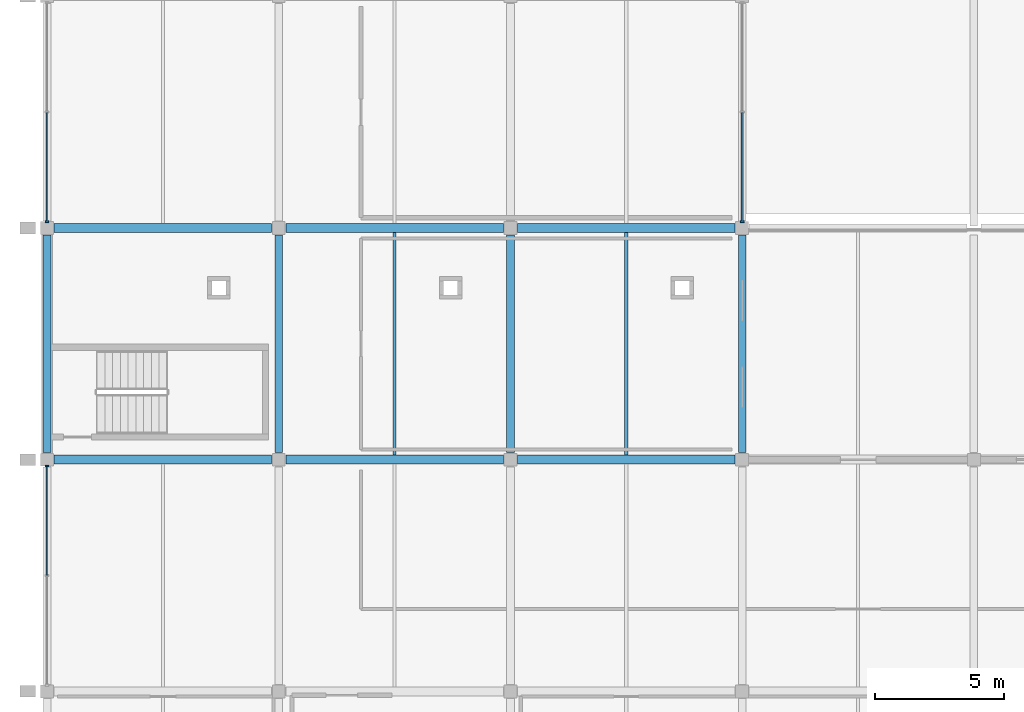
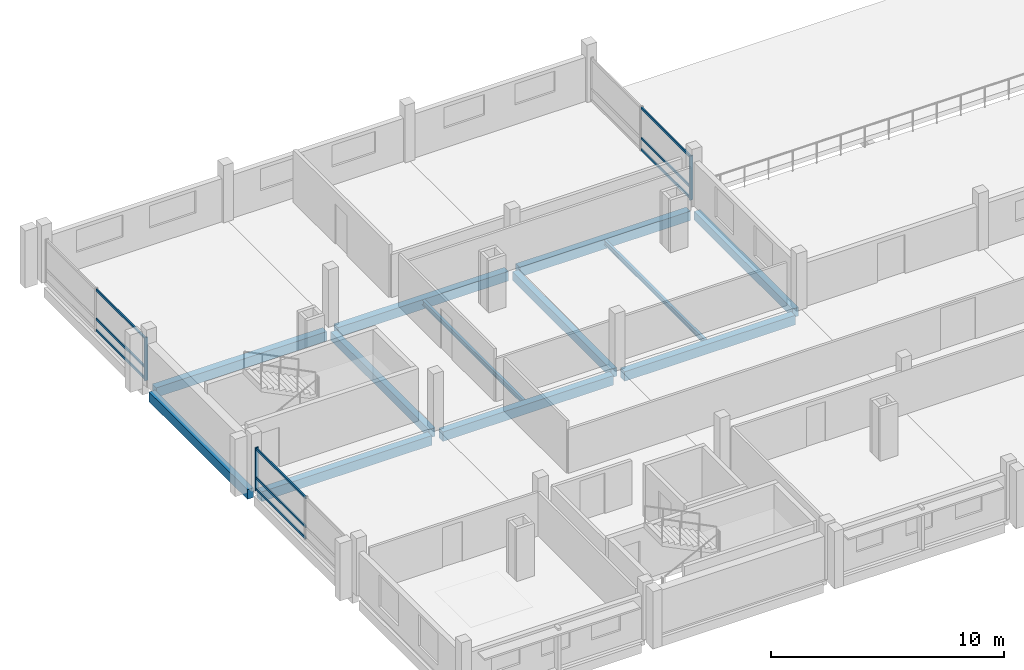
# One storey, part 4 of 25: 12 beams, 12 members, 3 elements without a shape of their own.
"""IFC4 building model written with IfcOpenShell, lengths in metres."""

import ifcopenshell
import ifcopenshell.guid

model = None  # the IFC model being written
_history = None  # IfcOwnerHistory: only IFC2X3 demands one
_inside = {}  # id of a spatial element -> (the spatial element, [elements in it])
_under = {}  # id of a project, library or spatial element -> (it, [spatial elements below it])
_declared = {}  # id of a project -> (the project, [libraries it declares])
_typed = {}  # id of a type object -> (the type object, [elements of that type])
_made_of = {}  # id of a material, layer set ... -> (it, [elements and type objects made of it])


def new_model(schema):
    """Start an empty IFC model of exactly this schema.

    Asked for "IFC4X3", IfcOpenShell would pick the latest addendum, in which some entities
    have other attributes; the version numbers below select the first issue.
    IFC2X3 requires an IfcOwnerHistory on every rooted entity: one is made here for all.
    """
    global model, _history
    if schema == "IFC4X3":
        model = ifcopenshell.file(schema_version=(4, 3, 0, 0))
    else:
        model = ifcopenshell.file(schema=schema)
    _inside.clear()
    _under.clear()
    _declared.clear()
    _typed.clear()
    _made_of.clear()
    _history = None
    if model.schema == "IFC2X3":
        org = make("IfcOrganization", Name="unknown")
        user = make(
            "IfcPersonAndOrganization",
            ThePerson=make("IfcPerson", FamilyName="unknown"),
            TheOrganization=org,
        )
        app = make(
            "IfcApplication",
            ApplicationDeveloper=org,
            Version="unknown",
            ApplicationFullName="unknown",
            ApplicationIdentifier="unknown",
        )
        _history = make(
            "IfcOwnerHistory",
            OwningUser=user,
            OwningApplication=app,
            ChangeAction="ADDED",
            CreationDate=0,
        )
    return model


def make(cls, **values):
    """One entity of the class cls with the attributes given. An attribute that is None is left unset."""
    return model.create_entity(
        cls, **{name: value for name, value in values.items() if value is not None}
    )


def rooted(cls, **values):
    """An entity with a GlobalId (a new one), such as an element, a storey or a relation."""
    return make(cls, GlobalId=ifcopenshell.guid.new(), OwnerHistory=_history, **values)


def si_unit(unit_type, name, prefix=None):
    """IfcSIUnit, for example si_unit("LENGTHUNIT", "METRE", prefix="MILLI")."""
    return make("IfcSIUnit", UnitType=unit_type, Prefix=prefix, Name=name)


def assignment(units):
    """IfcUnitAssignment: the units of a project."""
    return None if units is None else make("IfcUnitAssignment", Units=units)


def point(xyz):
    """IfcCartesianPoint."""
    return None if xyz is None else make("IfcCartesianPoint", Coordinates=xyz)


def direction(xyz):
    """IfcDirection."""
    return None if xyz is None else make("IfcDirection", DirectionRatios=xyz)


def frame(location, z_axis=None, x_axis=None):
    """IfcAxis2Placement3D, a coordinate frame: its origin and axes. An axis left out is left unset."""
    return make(
        "IfcAxis2Placement3D",
        Location=point(location),
        Axis=direction(z_axis),
        RefDirection=direction(x_axis),
    )


def frame_2d(location, x_axis=None):
    """IfcAxis2Placement2D, a coordinate frame in the plane: its origin and x axis."""
    return make(
        "IfcAxis2Placement2D", Location=point(location), RefDirection=direction(x_axis)
    )


def origin():
    """The frame at (0, 0, 0) with its axes left unset."""
    return frame((0.0, 0.0, 0.0))


def origin_2d():
    """The frame at (0, 0) in the plane with its x axis left unset."""
    return frame_2d((0.0, 0.0))


def place(relative_to, where):
    """IfcLocalPlacement: puts the frame where relative to a parent placement (None: the world)."""
    return make(
        "IfcLocalPlacement", PlacementRelTo=relative_to, RelativePlacement=where
    )


def context(
    kind, dimensions, precision=None, world=None, true_north=None, identifier=None
):
    """IfcGeometricRepresentationContext, for example the 3D "Model" context."""
    return make(
        "IfcGeometricRepresentationContext",
        ContextIdentifier=identifier,
        ContextType=kind,
        CoordinateSpaceDimension=dimensions,
        Precision=precision,
        WorldCoordinateSystem=world,
        TrueNorth=true_north,
    )


def subcontext(parent, identifier, kind, view, scale=None):
    """IfcGeometricRepresentationSubContext, for example "Body" below "Model"."""
    return make(
        "IfcGeometricRepresentationSubContext",
        ContextIdentifier=identifier,
        ContextType=kind,
        ParentContext=parent,
        TargetScale=scale,
        TargetView=view,
    )


def project(units=None, contexts=None):
    """IfcProject with its units and contexts."""
    return rooted(
        "IfcProject",
        Name="project",
        RepresentationContexts=contexts,
        UnitsInContext=assignment(units),
    )


def spatial(cls, under=None, at=None, **own):
    """A site, building, storey or space (cls), placed at a placement, below another one or the project."""
    s = rooted(cls, ObjectPlacement=at, **own)
    if under is not None:
        _under.setdefault(under.id(), (under, []))[1].append(s)
    return s


def profile(cls, at=None, kind="AREA", **sizes):
    """A parametric profile (cls). Its sizes go by their IFC names, for example OverallWidth=200.0."""
    return make(cls, ProfileType=kind, Position=at, **sizes)


def rectangle(**sizes):
    """IfcRectangleProfileDef."""
    return profile("IfcRectangleProfileDef", **sizes)


def i_section(**sizes):
    """IfcIShapeProfileDef."""
    return profile("IfcIShapeProfileDef", **sizes)


def extrude(swept, where, along, depth):
    """IfcExtrudedAreaSolid: the profile swept, set in the frame where, extruded along a direction by depth."""
    return make(
        "IfcExtrudedAreaSolid",
        SweptArea=swept,
        Position=where,
        ExtrudedDirection=direction(along),
        Depth=depth,
    )


def shape(context_of_items, identifier, shape_type, items):
    """IfcShapeRepresentation: the items that make up one representation, for example the "Body"."""
    return make(
        "IfcShapeRepresentation",
        ContextOfItems=context_of_items,
        RepresentationIdentifier=identifier,
        RepresentationType=shape_type,
        Items=items,
    )


def material(Name=None, Category=None):
    """IfcMaterial."""
    return make("IfcMaterial", Name=Name, Category=Category)


def material_profile(
    of_material, cross_section, Name=None, Category=None, Priority=None
):
    """IfcMaterialProfile: a cross section and its material."""
    return make(
        "IfcMaterialProfile",
        Name=Name,
        Material=of_material,
        Profile=cross_section,
        Priority=Priority,
        Category=Category,
    )


def profile_set(profiles, Name=None, composite=None):
    """IfcMaterialProfileSet."""
    return make(
        "IfcMaterialProfileSet",
        Name=Name,
        MaterialProfiles=profiles,
        CompositeProfile=composite,
    )


def made_of(thing, what):
    """Note that an element or type object is made of a material, layer set ...; save() writes the relation."""
    if what is not None:
        _made_of.setdefault(what.id(), (what, []))[1].append(thing)
    return thing


def type_object(cls, material=None, **own):
    """A type object (cls), such as IfcWallType, which elements share."""
    return made_of(rooted(cls, **own), material)


def element(
    cls,
    number,
    at=None,
    inside=None,
    cuts=None,
    type_object=None,
    material=None,
    context=None,
    identifier="Body",
    shape_type=None,
    held_by="IfcProductDefinitionShape",
    body=None,
    shapes=None,
    **own,
):
    """One element of the class cls, such as IfcWall. Its Tag is "e" and its number.

    at: its placement. inside: the storey or other place that contains it. cuts: it is an
    opening in that element (IfcRelVoidsElement). A single representation is given by context,
    identifier, shape_type and body (its items); several are given by shapes. held_by: the class
    of the entity that holds the representations. save() writes the other relations.
    """
    e = rooted(cls, Tag="e%d" % number, ObjectPlacement=at, **own)
    if body is not None:
        shapes = [shape(context, identifier, shape_type, body)]
    if shapes is not None:
        e.Representation = make(held_by, Representations=shapes)
    if inside is not None:
        _inside.setdefault(inside.id(), (inside, []))[1].append(e)
    if cuts is not None:
        rooted(
            "IfcRelVoidsElement", RelatingBuildingElement=cuts, RelatedOpeningElement=e
        )
    if type_object is not None:
        _typed.setdefault(type_object.id(), (type_object, []))[1].append(e)
    return made_of(e, material)


def aggregate(whole, parts):
    """IfcRelAggregates: a whole, such as a stair, and the parts it consists of."""
    return rooted("IfcRelAggregates", RelatingObject=whole, RelatedObjects=parts)


def save(model, path):
    """Write the relations noted so far, then the file.

    IfcRelAggregates (storeys below a building ...), IfcRelContainedInSpatialStructure (elements
    in a storey), IfcRelDefinesByType, IfcRelAssociatesMaterial and IfcRelDeclares: one each for
    every whole, place, type object, material and project.
    """
    for whole, parts in _under.values():
        aggregate(whole, parts)
    for where, things in _inside.values():
        rooted(
            "IfcRelContainedInSpatialStructure",
            RelatedElements=things,
            RelatingStructure=where,
        )
    for kind, things in _typed.values():
        rooted("IfcRelDefinesByType", RelatedObjects=things, RelatingType=kind)
    for what, things in _made_of.values():
        rooted("IfcRelAssociatesMaterial", RelatedObjects=things, RelatingMaterial=what)
    for by, libraries in _declared.values():
        rooted("IfcRelDeclares", RelatingContext=by, RelatedDefinitions=libraries)
    model.write(path)


model = new_model("IFC4")

# Units and contexts
model_context = context("Model", 3, precision=1e-05, world=origin(), true_north=direction((0.0, 1.0)))
body_context = subcontext(model_context, "Body", "Model", "MODEL_VIEW")
ifc_project = project(units=[si_unit("LENGTHUNIT", "METRE"), si_unit("AREAUNIT", "SQUARE_METRE"), si_unit("VOLUMEUNIT", "CUBIC_METRE"), si_unit("PLANEANGLEUNIT", "RADIAN"), si_unit("MASSUNIT", "GRAM", prefix="KILO")], contexts=[model_context])

# Site, building, storey
site_placement = place(None, origin())
site = spatial("IfcSite", under=ifc_project, at=site_placement, CompositionType="ELEMENT")
building_placement = place(site_placement, origin())
building = spatial("IfcBuilding", under=site, at=building_placement, Name="Tharagai Park Tramway Depot", CompositionType="ELEMENT")
storey_placement = place(building_placement, frame((0.0, 0.0, 12.0)))
storey = spatial("IfcBuildingStorey", under=building, at=storey_placement, Name="L03", CompositionType="ELEMENT", Elevation=12.0)

# Beams
ifc_material_1 = material(Name="Concrete M35", Category="concrete")
ifc_material_profile_1 = material_profile(ifc_material_1, rectangle(XDim=0.35009765625, YDim=0.5, at=origin_2d()), Name="RC 350x500")
ifc_profile_set_1 = profile_set([ifc_material_profile_1], Name="Concrete M35")
beam_type_1 = type_object("IfcBeamType", Name="BM-11", PredefinedType="BEAM", material=ifc_profile_set_1)
for number, where, z_axis, x_axis, name in (
    (1, (0.27490234375, 18.0, -0.5), (1.0, 0.0, 0.0), (0.0, 1.0, 0.0), "L03 Grid Beam BM-11"),
    (2, (9.27490234375, 18.0, -0.5), (1.0, 0.0, 0.0), (0.0, 1.0, 0.0), "L03 Grid Beam BM-11"),
    (3, (18.27490234375, 18.0, -0.5), (1.0, 0.0, 0.0), (0.0, 1.0, 0.0), "L03 Grid Beam BM-11"),
    (4, (0.27490234375, 27.0, -0.5), (1.0, 0.0, 0.0), (0.0, 1.0, 0.0), "L03 Grid Beam BM-11"),
    (5, (9.27490234375, 27.0, -0.5), (1.0, 0.0, 0.0), (0.0, 1.0, 0.0), "L03 Grid Beam BM-11"),
    (6, (18.27490234375, 27.0, -0.5), (1.0, 0.0, 0.0), (0.0, 1.0, 0.0), "L03 Grid Beam BM-11"),
):
    element("IfcBeam", number, at=place(storey_placement, frame(where, z_axis=z_axis, x_axis=x_axis)), inside=storey, type_object=beam_type_1, Name=name, PredefinedType="BEAM", context=body_context, shape_type="SweptSolid", body=[
        extrude(rectangle(XDim=0.35009765625, YDim=0.5, at=origin_2d()), origin(), (0.0, 0.0, 1.0), 8.4501953125),
    ])
ifc_material_profile_2 = material_profile(ifc_material_1, rectangle(XDim=0.300048828125, YDim=0.449951171875, at=origin_2d()), Name="RC 300x450")
ifc_profile_set_2 = profile_set([ifc_material_profile_2], Name="Concrete M35")
beam_type_2 = type_object("IfcBeamType", Name="BM-14", PredefinedType="BEAM", material=ifc_profile_set_2)
for number, where, z_axis, x_axis, name in (
    (7, (9.0, 18.27490234375, -0.47509765625), (0.0, 1.0, 0.0), (-1.0, 0.0, 0.0), "L03 Grid Beam BM-14"),
    (8, (18.0, 18.27490234375, -0.47509765625), (0.0, 1.0, 0.0), (-1.0, 0.0, 0.0), "L03 Grid Beam BM-14"),
    (9, (27.0, 18.27490234375, -0.47509765625), (0.0, 1.0, 0.0), (-1.0, 0.0, 0.0), "L03 Grid Beam BM-14"),
):
    element("IfcBeam", number, at=place(storey_placement, frame(where, z_axis=z_axis, x_axis=x_axis)), inside=storey, type_object=beam_type_2, Name=name, PredefinedType="BEAM", context=body_context, shape_type="SweptSolid", body=[
        extrude(rectangle(XDim=0.300048828125, YDim=0.449951171875, at=origin_2d()), origin(), (0.0, 0.0, 1.0), 8.4501953125),
    ])

# Curtain wall, members
ifc_material_2 = material(Name="Anodised aluminium", Category="aluminium")
curtain_wall_type = type_object("IfcCurtainWallType", Name="CW-07", PredefinedType="NOTDEFINED", material=ifc_material_2)
curtain_wall_1_placement = place(storey_placement, origin())
curtain_wall_1 = element("IfcCurtainWall", 10, at=curtain_wall_1_placement, inside=storey, type_object=curtain_wall_type, Name="L03 V4 Side Mullioned Curtain Wall CW-07", PredefinedType="NOTDEFINED")
ifc_material_profile_3 = material_profile(ifc_material_2, rectangle(XDim=0.06494140625, YDim=0.1201171875, at=origin_2d()), Name="ALU 65x120")
ifc_profile_set_3 = profile_set([ifc_material_profile_3], Name="Anodised aluminium")
member_type_1 = type_object("IfcMemberType", Name="CM-01", PredefinedType="USERDEFINED", material=ifc_profile_set_3)
member_1_placement = place(storey_placement, frame((0.0, 13.514892578125, 0.06005859375), z_axis=(0.0, 1.0, 0.0), x_axis=(-1.0, 0.0, 0.0)))
member_1 = element("IfcMember", 11, at=member_1_placement, type_object=member_type_1, Name="L03 V4 Side Mullioned Curtain Wall Transom 2.1", ObjectType="TRANSOM", PredefinedType="USERDEFINED", context=body_context, shape_type="SweptSolid", body=[
    extrude(rectangle(XDim=0.06494140625, YDim=0.1201171875, at=origin_2d()), origin(), (0.0, 0.0, 1.0), 4.230224609375),
])
member_2_placement = place(storey_placement, frame((0.0, 13.514892578125, 0.64990234375), z_axis=(0.0, 1.0, 0.0), x_axis=(-1.0, 0.0, 0.0)))
member_2 = element("IfcMember", 12, at=member_2_placement, type_object=member_type_1, Name="L03 V4 Side Mullioned Curtain Wall Transom 2.2", ObjectType="TRANSOM", PredefinedType="USERDEFINED", context=body_context, shape_type="SweptSolid", body=[
    extrude(rectangle(XDim=0.06494140625, YDim=0.1201171875, at=origin_2d()), origin(), (0.0, 0.0, 1.0), 4.230224609375),
])
member_3_placement = place(storey_placement, frame((0.0, 13.514892578125, 2.169921875), z_axis=(0.0, 1.0, 0.0), x_axis=(-1.0, 0.0, 0.0)))
member_3 = element("IfcMember", 13, at=member_3_placement, type_object=member_type_1, Name="L03 V4 Side Mullioned Curtain Wall Transom 2.3", ObjectType="TRANSOM", PredefinedType="USERDEFINED", context=body_context, shape_type="SweptSolid", body=[
    extrude(rectangle(XDim=0.06494140625, YDim=0.1201171875, at=origin_2d()), origin(), (0.0, 0.0, 1.0), 4.230224609375),
])

curtain_wall_2_placement = place(storey_placement, origin())
curtain_wall_2 = element("IfcCurtainWall", 14, at=curtain_wall_2_placement, inside=storey, type_object=curtain_wall_type, Name="L03 V4 Side Mullioned Curtain Wall CW-07", PredefinedType="NOTDEFINED")
member_4_placement = place(storey_placement, frame((0.0, 27.2548828125, 0.06005859375), z_axis=(0.0, 1.0, 0.0), x_axis=(-1.0, 0.0, 0.0)))
member_4 = element("IfcMember", 15, at=member_4_placement, type_object=member_type_1, Name="L03 V4 Side Mullioned Curtain Wall Transom 1.1", ObjectType="TRANSOM", PredefinedType="USERDEFINED", context=body_context, shape_type="SweptSolid", body=[
    extrude(rectangle(XDim=0.06494140625, YDim=0.1201171875, at=origin_2d()), origin(), (0.0, 0.0, 1.0), 4.230224609375),
])
member_5_placement = place(storey_placement, frame((0.0, 27.2548828125, 0.64990234375), z_axis=(0.0, 1.0, 0.0), x_axis=(-1.0, 0.0, 0.0)))
member_5 = element("IfcMember", 16, at=member_5_placement, type_object=member_type_1, Name="L03 V4 Side Mullioned Curtain Wall Transom 1.2", ObjectType="TRANSOM", PredefinedType="USERDEFINED", context=body_context, shape_type="SweptSolid", body=[
    extrude(rectangle(XDim=0.06494140625, YDim=0.1201171875, at=origin_2d()), origin(), (0.0, 0.0, 1.0), 4.230224609375),
])
member_6_placement = place(storey_placement, frame((0.0, 27.2548828125, 2.169921875), z_axis=(0.0, 1.0, 0.0), x_axis=(-1.0, 0.0, 0.0)))
member_6 = element("IfcMember", 17, at=member_6_placement, type_object=member_type_1, Name="L03 V4 Side Mullioned Curtain Wall Transom 1.3", ObjectType="TRANSOM", PredefinedType="USERDEFINED", context=body_context, shape_type="SweptSolid", body=[
    extrude(rectangle(XDim=0.06494140625, YDim=0.1201171875, at=origin_2d()), origin(), (0.0, 0.0, 1.0), 4.230224609375),
])

curtain_wall_3_placement = place(storey_placement, origin())
curtain_wall_3 = element("IfcCurtainWall", 18, at=curtain_wall_3_placement, inside=storey, type_object=curtain_wall_type, Name="L03 V4 Side Mullioned Curtain Wall CW-07", PredefinedType="NOTDEFINED")
member_7_placement = place(storey_placement, frame((27.0, 27.2548828125, 0.06005859375), z_axis=(0.0, 1.0, 0.0), x_axis=(-1.0, 0.0, 0.0)))
member_7 = element("IfcMember", 19, at=member_7_placement, type_object=member_type_1, Name="L03 V4 Side Mullioned Curtain Wall Transom 1.1", ObjectType="TRANSOM", PredefinedType="USERDEFINED", context=body_context, shape_type="SweptSolid", body=[
    extrude(rectangle(XDim=0.06494140625, YDim=0.1201171875, at=origin_2d()), origin(), (0.0, 0.0, 1.0), 4.230224609375),
])
member_8_placement = place(storey_placement, frame((27.0, 27.2548828125, 0.64990234375), z_axis=(0.0, 1.0, 0.0), x_axis=(-1.0, 0.0, 0.0)))
member_8 = element("IfcMember", 20, at=member_8_placement, type_object=member_type_1, Name="L03 V4 Side Mullioned Curtain Wall Transom 1.2", ObjectType="TRANSOM", PredefinedType="USERDEFINED", context=body_context, shape_type="SweptSolid", body=[
    extrude(rectangle(XDim=0.06494140625, YDim=0.1201171875, at=origin_2d()), origin(), (0.0, 0.0, 1.0), 4.230224609375),
])
member_9_placement = place(storey_placement, frame((27.0, 27.2548828125, 2.22998046875), z_axis=(0.0, 1.0, 0.0), x_axis=(-1.0, 0.0, 0.0)))
member_9 = element("IfcMember", 21, at=member_9_placement, type_object=member_type_1, Name="L03 V4 Side Mullioned Curtain Wall Transom 1.3", ObjectType="TRANSOM", PredefinedType="USERDEFINED", context=body_context, shape_type="SweptSolid", body=[
    extrude(rectangle(XDim=0.06494140625, YDim=0.1201171875, at=origin_2d()), origin(), (0.0, 0.0, 1.0), 4.230224609375),
])

# Member
ifc_material_profile_4 = material_profile(ifc_material_2, rectangle(XDim=0.06494140625, YDim=0.14990234375, at=origin_2d()), Name="ALU 65x150")
ifc_profile_set_4 = profile_set([ifc_material_profile_4], Name="Anodised aluminium")
member_type_2 = type_object("IfcMemberType", Name="CM-03", PredefinedType="MULLION", material=ifc_profile_set_4)
member_10_placement = place(storey_placement, frame((0.0, 17.760009765625, -0.0048828125), z_axis=(0.0, 0.0, 1.0), x_axis=(0.0, 1.0, 0.0)))
member_10 = element("IfcMember", 22, at=member_10_placement, type_object=member_type_2, Name="L03 V4 Side Mullioned Curtain Wall Mullion 3", PredefinedType="MULLION", context=body_context, shape_type="SweptSolid", body=[
    extrude(rectangle(XDim=0.06494140625, YDim=0.14990234375, at=origin_2d()), origin(), (0.0, 0.0, 1.0), 2.259765625),
])

aggregate(curtain_wall_1, [member_10, member_1, member_2, member_3])

member_11_placement = place(storey_placement, frame((0.0, 27.239990234375, -0.0048828125), z_axis=(0.0, 0.0, 1.0), x_axis=(0.0, 1.0, 0.0)))
member_11 = element("IfcMember", 23, at=member_11_placement, type_object=member_type_2, Name="L03 V4 Side Mullioned Curtain Wall Mullion 1", PredefinedType="MULLION", context=body_context, shape_type="SweptSolid", body=[
    extrude(rectangle(XDim=0.06494140625, YDim=0.14990234375, at=origin_2d()), origin(), (0.0, 0.0, 1.0), 2.259765625),
])

aggregate(curtain_wall_2, [member_11, member_4, member_5, member_6])

member_12_placement = place(storey_placement, frame((27.0, 27.239990234375, -0.0048828125), z_axis=(0.0, 0.0, 1.0), x_axis=(0.0, 1.0, 0.0)))
member_12 = element("IfcMember", 24, at=member_12_placement, type_object=member_type_2, Name="L03 V4 Side Mullioned Curtain Wall Mullion 1", PredefinedType="MULLION", context=body_context, shape_type="SweptSolid", body=[
    extrude(rectangle(XDim=0.06494140625, YDim=0.14990234375, at=origin_2d()), origin(), (0.0, 0.0, 1.0), 2.31982421875),
])

aggregate(curtain_wall_3, [member_12, member_7, member_8, member_9])

# Beams
ifc_material_3 = material(Name="Steel E250", Category="steel")
ifc_material_profile_5 = material_profile(ifc_material_3, i_section(OverallWidth=0.125, OverallDepth=0.25, WebThickness=0.006103515625, FlangeThickness=0.00830078125, FilletRadius=0.010009765625, at=origin_2d()), Name="ISLB 250")
ifc_profile_set_5 = profile_set([ifc_material_profile_5], Name="Steel E250")
beam_type_3 = type_object("IfcBeamType", Name="JT-04", PredefinedType="JOIST", material=ifc_profile_set_5)
for number, where, z_axis, x_axis, name in (
    (25, (13.5, 18.175048828125, -0.375), (0.0, 1.0, 0.0), (-1.0, 0.0, 0.0), "L03 Secondary Joist JT-04"),
    (26, (22.5, 18.175048828125, -0.375), (0.0, 1.0, 0.0), (-1.0, 0.0, 0.0), "L03 Secondary Joist JT-04"),
):
    element("IfcBeam", number, at=place(storey_placement, frame(where, z_axis=z_axis, x_axis=x_axis)), inside=storey, type_object=beam_type_3, Name=name, PredefinedType="JOIST", context=body_context, shape_type="SweptSolid", body=[
        extrude(i_section(OverallWidth=0.125, OverallDepth=0.25, WebThickness=0.006103515625, FlangeThickness=0.00830078125, FilletRadius=0.010009765625, at=origin_2d()), origin(), (0.0, 0.0, 1.0), 8.64990234375),
    ])
ifc_material_profile_6 = material_profile(ifc_material_1, rectangle(XDim=0.300048828125, YDim=0.5, at=origin_2d()), Name="RC 300x500")
ifc_profile_set_6 = profile_set([ifc_material_profile_6], Name="Concrete M35")
beam_type_4 = type_object("IfcBeamType", Name="SP-03", PredefinedType="SPANDREL", material=ifc_profile_set_6)
beam_placement = place(storey_placement, frame((0.0, 18.27490234375, -0.5), z_axis=(0.0, 1.0, 0.0), x_axis=(-1.0, 0.0, 0.0)))
element("IfcBeam", 27, at=beam_placement, inside=storey, type_object=beam_type_4, Name="L03 Grid Beam SP-03", PredefinedType="SPANDREL", context=body_context, shape_type="SweptSolid", body=[
    extrude(rectangle(XDim=0.300048828125, YDim=0.5, at=origin_2d()), origin(), (0.0, 0.0, 1.0), 8.4501953125),
])

save(model, "model.ifc")
